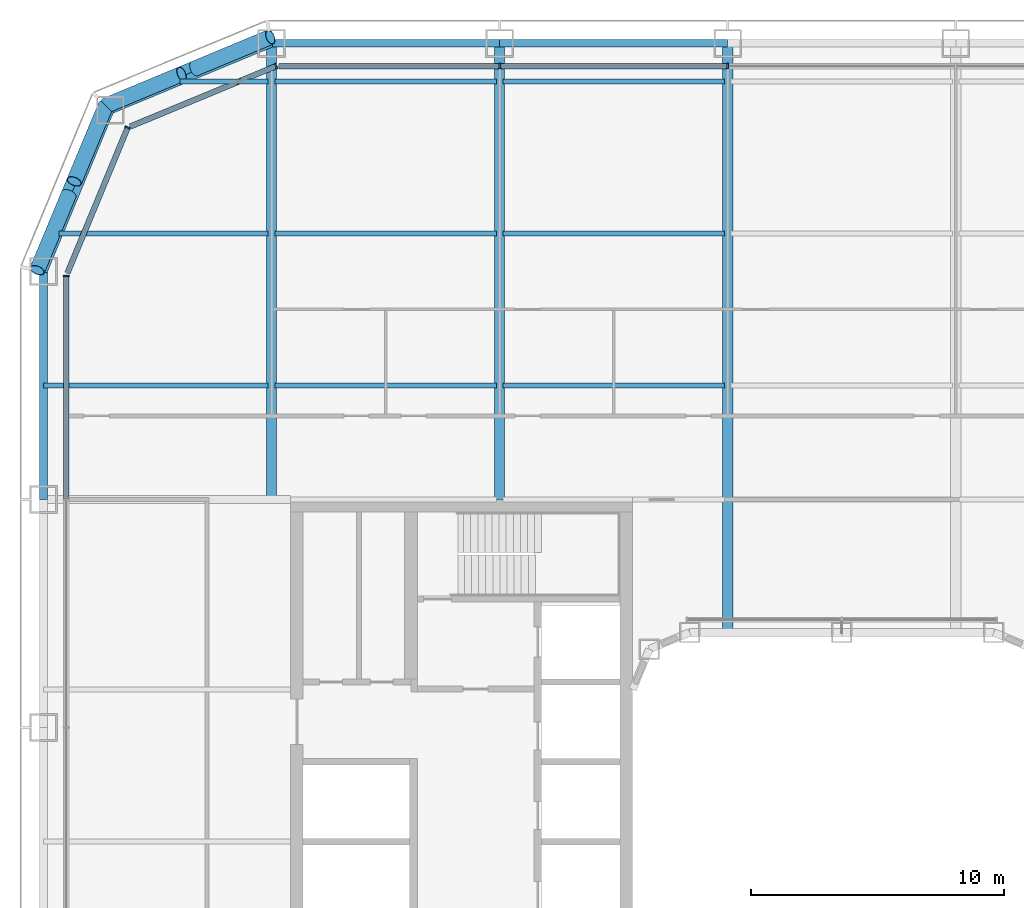
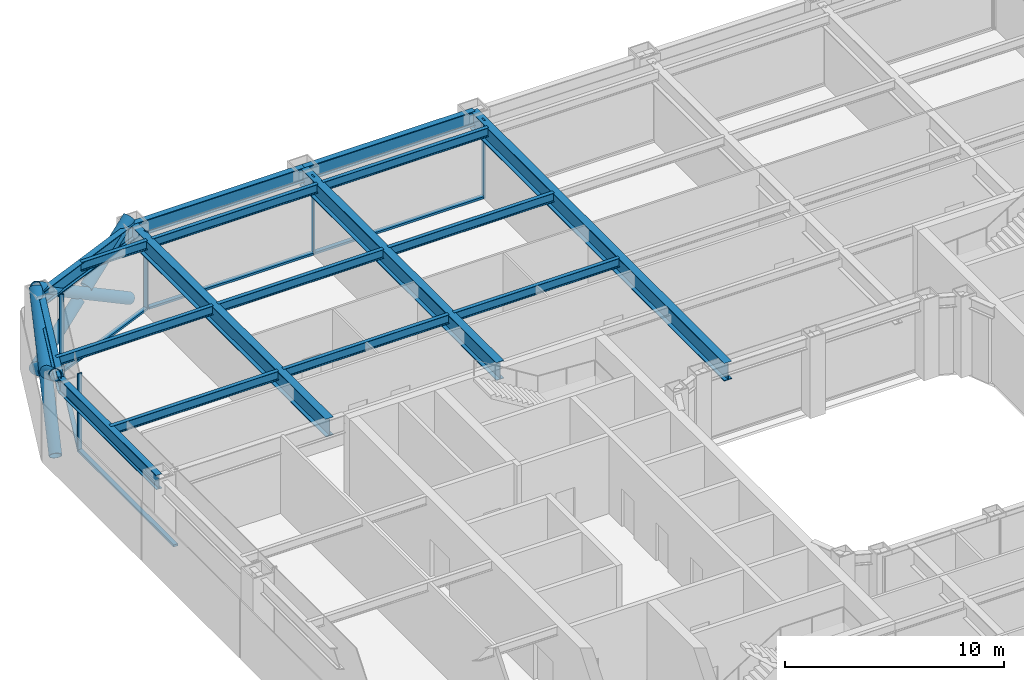
# One storey, part 7 of 24: 17 beams, 16 members, 4 elements without a shape of their own.
"""IFC4 building model written with IfcOpenShell, lengths in metres."""

from ifc_helpers import new_model, si_unit, direction, frame, origin, origin_2d, place, context, subcontext, project, spatial, rectangle, hollow_circle, i_section, extrude, material, layer, layer_set, material_profile, profile_set, type_object, element, aggregate, save


model = new_model("IFC4")

# Units and contexts
model_context = context("Model", 3, precision=1e-05, world=origin(), true_north=direction((0.0, 1.0)))
body_context = subcontext(model_context, "Body", "Model", "MODEL_VIEW")
ifc_project = project(units=[si_unit("LENGTHUNIT", "METRE"), si_unit("AREAUNIT", "SQUARE_METRE"), si_unit("VOLUMEUNIT", "CUBIC_METRE"), si_unit("PLANEANGLEUNIT", "RADIAN"), si_unit("MASSUNIT", "GRAM", prefix="KILO")], contexts=[model_context])

# Site, building, storey
site_placement = place(None, origin())
site = spatial("IfcSite", under=ifc_project, at=site_placement, CompositionType="ELEMENT")
building_placement = place(site_placement, origin())
building = spatial("IfcBuilding", under=site, at=building_placement, Name="Siwar Civic Tower", CompositionType="ELEMENT")
storey_placement = place(building_placement, frame((0.0, 0.0, 40.199951171875)))
storey = spatial("IfcBuildingStorey", under=building, at=storey_placement, Name="L08", CompositionType="ELEMENT", Elevation=40.199951171875)

# Curtain wall, members
ifc_material_1 = material(Name="Aluminium and glass", Category="aluminium")
ifc_layer_1 = layer(ifc_material_1, 0.219970703125)
ifc_layer_set_1 = layer_set([ifc_layer_1], Name="Aluminium and glass")
curtain_wall_type_1 = type_object("IfcCurtainWallType", Name="ENV-CW-A", PredefinedType="NOTDEFINED", material=ifc_layer_set_1)
curtain_wall_1_placement = place(storey_placement, origin())
curtain_wall_1 = element("IfcCurtainWall", 1, at=curtain_wall_1_placement, inside=storey, type_object=curtain_wall_type_1, Name="Curtain wall A N", PredefinedType="NOTDEFINED")
ifc_material_2 = material(Name="Aluminium 6063-T6", Category="aluminium")
ifc_material_profile_1 = material_profile(ifc_material_2, rectangle(XDim=0.219970703125, YDim=0.070068359375, at=origin_2d()), Name="AL 220x70")
ifc_profile_set_1 = profile_set([ifc_material_profile_1], Name="Aluminium 6063-T6")
member_type_1 = type_object("IfcMemberType", Name="ENV-MULLION-A", PredefinedType="MULLION", material=ifc_profile_set_1)
member_1_placement = place(storey_placement, frame((-4.5, 30.60009765625, 0.0), z_axis=(0.0, 0.0, 1.0), x_axis=(0.0, -1.0, 0.0)))
member_1 = element("IfcMember", 2, at=member_1_placement, type_object=member_type_1, Name="Mullion A N 4", PredefinedType="MULLION", context=body_context, shape_type="SweptSolid", body=[
    extrude(rectangle(XDim=0.219970703125, YDim=0.070068359375, at=origin_2d()), origin(), (0.0, 0.0, 1.0), 4.35009765625),
])
member_2_placement = place(storey_placement, frame((-13.5, 30.60009765625, 0.0), z_axis=(0.0, 0.0, 1.0), x_axis=(0.0, -1.0, 0.0)))
member_2 = element("IfcMember", 3, at=member_2_placement, type_object=member_type_1, Name="Mullion A N 5", PredefinedType="MULLION", context=body_context, shape_type="SweptSolid", body=[
    extrude(rectangle(XDim=0.219970703125, YDim=0.070068359375, at=origin_2d()), origin(), (0.0, 0.0, 1.0), 4.35009765625),
])

# Curtain wall, member
ifc_material_3 = material(Name="Aluminium clad insulated panel", Category="aluminium")
ifc_layer_2 = layer(ifc_material_3, 0.219970703125)
ifc_layer_set_2 = layer_set([ifc_layer_2], Name="Aluminium clad insulated panel")
curtain_wall_type_2 = type_object("IfcCurtainWallType", Name="ENV-CW-AX", PredefinedType="NOTDEFINED", material=ifc_layer_set_2)
curtain_wall_2_placement = place(storey_placement, origin())
curtain_wall_2 = element("IfcCurtainWall", 4, at=curtain_wall_2_placement, inside=storey, type_object=curtain_wall_type_2, Name="Curtain wall A NW1", PredefinedType="NOTDEFINED")
member_3_placement = place(storey_placement, frame((-22.321044921875, 30.60009765625, 0.0), z_axis=(0.0, 0.0, 1.0), x_axis=(0.382683432365, -0.923879532511, 0.0)))
member_3 = element("IfcMember", 5, at=member_3_placement, type_object=member_type_1, Name="Mullion A NW1 1", PredefinedType="MULLION", context=body_context, shape_type="SweptSolid", body=[
    extrude(rectangle(XDim=0.219970703125, YDim=0.070068359375, at=origin_2d()), origin(), (0.0, 0.0, 1.0), 4.35009765625),
])

curtain_wall_3_placement = place(storey_placement, origin())
curtain_wall_3 = element("IfcCurtainWall", 6, at=curtain_wall_3_placement, inside=storey, type_object=curtain_wall_type_2, Name="Curtain wall A NW2", PredefinedType="NOTDEFINED")
member_4_placement = place(storey_placement, frame((-28.175048828125, 28.175048828125, 0.0), z_axis=(0.0, 0.0, 1.0), x_axis=(0.923879532511, -0.382683432365, 0.0)))
member_4 = element("IfcMember", 7, at=member_4_placement, type_object=member_type_1, Name="Mullion A NW2 1", PredefinedType="MULLION", context=body_context, shape_type="SweptSolid", body=[
    extrude(rectangle(XDim=0.219970703125, YDim=0.070068359375, at=origin_2d()), origin(), (0.0, 0.0, 1.0), 4.35009765625),
])

curtain_wall_4_placement = place(storey_placement, origin())
curtain_wall_4 = element("IfcCurtainWall", 8, at=curtain_wall_4_placement, inside=storey, type_object=curtain_wall_type_1, Name="Curtain wall A W", PredefinedType="NOTDEFINED")
member_5_placement = place(storey_placement, frame((-30.60009765625, 22.321044921875, 0.0), z_axis=(0.0, 0.0, 1.0), x_axis=(1.0, 0.0, 0.0)))
member_5 = element("IfcMember", 9, at=member_5_placement, type_object=member_type_1, Name="Mullion A W 1", PredefinedType="MULLION", context=body_context, shape_type="SweptSolid", body=[
    extrude(rectangle(XDim=0.219970703125, YDim=0.070068359375, at=origin_2d()), origin(), (0.0, 0.0, 1.0), 4.35009765625),
])

# Member
ifc_material_4 = material(Name="Aluminium 6063-T6", Category="aluminium")
ifc_material_profile_2 = material_profile(ifc_material_4, rectangle(XDim=0.219970703125, YDim=0.1201171875, at=origin_2d()), Name="AL 220x120")
ifc_profile_set_2 = profile_set([ifc_material_profile_2], Name="Aluminium 6063-T6")
member_type_2 = type_object("IfcMemberType", Name="ENV-TRANSOM-A", PredefinedType="USERDEFINED", material=ifc_profile_set_2)
member_6_placement = place(storey_placement, frame((-4.534912109375, 30.60009765625, 0.06005859375), z_axis=(-1.0, 0.0, 0.0), x_axis=(0.0, -1.0, 0.0)))
member_6 = element("IfcMember", 10, at=member_6_placement, type_object=member_type_2, Name="Transom A N 4", ObjectType="TRANSOM", PredefinedType="USERDEFINED", context=body_context, shape_type="SweptSolid", body=[
    extrude(rectangle(XDim=0.219970703125, YDim=0.1201171875, at=origin_2d()), origin(), (0.0, 0.0, 1.0), 8.93017578125),
])

member_7_placement = place(storey_placement, frame((-13.534912109375, 30.60009765625, 0.06005859375), z_axis=(-1.0, 0.0, 0.0), x_axis=(0.0, -1.0, 0.0)))
member_7 = element("IfcMember", 11, at=member_7_placement, type_object=member_type_2, Name="Transom A N 5", ObjectType="TRANSOM", PredefinedType="USERDEFINED", context=body_context, shape_type="SweptSolid", body=[
    extrude(rectangle(XDim=0.219970703125, YDim=0.1201171875, at=origin_2d()), origin(), (0.0, 0.0, 1.0), 8.66357421875),
])

aggregate(curtain_wall_1, [member_1, member_2, member_6, member_7])

member_8_placement = place(storey_placement, frame((-22.353271484375, 30.586669921875, 0.06005859375), z_axis=(-0.923873326341, -0.382698415042, 0.0), x_axis=(0.382698415042, -0.923873326341, 0.0)))
member_8 = element("IfcMember", 12, at=member_8_placement, type_object=member_type_2, Name="Transom A NW1 1", ObjectType="TRANSOM", PredefinedType="USERDEFINED", context=body_context, shape_type="SweptSolid", body=[
    extrude(rectangle(XDim=0.219970703125, YDim=0.1201171875, at=origin_2d()), origin(), (0.0, 0.0, 1.0), 6.17919921875),
])

aggregate(curtain_wall_2, [member_3, member_8])

member_9_placement = place(storey_placement, frame((-28.1884765625, 28.142822265625, 0.06005859375), z_axis=(-0.382698415042, -0.923873326341, 0.0), x_axis=(0.923873326341, -0.382698415042, 0.0)))
member_9 = element("IfcMember", 13, at=member_9_placement, type_object=member_type_2, Name="Transom A NW2 1", ObjectType="TRANSOM", PredefinedType="USERDEFINED", context=body_context, shape_type="SweptSolid", body=[
    extrude(rectangle(XDim=0.219970703125, YDim=0.1201171875, at=origin_2d()), origin(), (0.0, 0.0, 1.0), 6.17919921875),
])

aggregate(curtain_wall_3, [member_4, member_9])

member_10_placement = place(storey_placement, frame((-30.60009765625, 22.285888671875, 0.06005859375), z_axis=(0.0, -1.0, 0.0), x_axis=(1.0, 0.0, 0.0)))
member_10 = element("IfcMember", 14, at=member_10_placement, type_object=member_type_2, Name="Transom A W 1", ObjectType="TRANSOM", PredefinedType="USERDEFINED", context=body_context, shape_type="SweptSolid", body=[
    extrude(rectangle(XDim=0.219970703125, YDim=0.1201171875, at=origin_2d()), origin(), (0.0, 0.0, 1.0), 8.7509765625),
])

aggregate(curtain_wall_4, [member_5, member_10])

# Members
ifc_material_5 = material(Name="Steel S355", Category="steel")
ifc_material_profile_3 = material_profile(ifc_material_5, hollow_circle(Radius=0.304931640625, WallThickness=0.030029296875, at=origin_2d()), Name="CHS610x30")
ifc_profile_set_3 = profile_set([ifc_material_profile_3], Name="Steel S355")
member_type_3 = type_object("IfcMemberType", Name="STR-BR-CHS610x30", PredefinedType="BRACE", material=ifc_profile_set_3)
member_11_placement = place(storey_placement, frame((-31.7451171875, 22.548828125, 0.0), z_axis=(0.323905527954, 0.777554562952, 0.538975055633), x_axis=(-0.923108759191, 0.384538969033, 0.0)))
element("IfcMember", 15, at=member_11_placement, inside=storey, type_object=member_type_3, Name="L08/brc/ANW1-7-0-1", PredefinedType="BRACE", context=body_context, shape_type="SweptSolid", body=[
    extrude(hollow_circle(Radius=0.304931640625, WallThickness=0.030029296875, at=origin_2d()), origin(), (0.0, 0.0, 1.0), 8.34912109375),
])
member_12_placement = place(storey_placement, frame((-29.040771484375, 29.040771484375, 0.0), z_axis=(-0.323922979564, -0.777542179573, 0.53898243227), x_axis=(0.923099230484, -0.384561842466, 0.0)))
element("IfcMember", 16, at=member_12_placement, inside=storey, type_object=member_type_3, Name="L08/brc/ANW1-7-0-2", PredefinedType="BRACE", context=body_context, shape_type="SweptSolid", body=[
    extrude(hollow_circle(Radius=0.304931640625, WallThickness=0.030029296875, at=origin_2d()), origin(), (0.0, 0.0, 1.0), 3.84375),
])
member_13_placement = place(storey_placement, frame((-30.500244140625, 25.537353515625, 2.428466796875), z_axis=(-0.3238932121, -0.777559680196, 0.53897507446), x_axis=(0.923114847559, -0.384524353215, 0.0)))
element("IfcMember", 17, at=member_13_placement, inside=storey, type_object=member_type_3, Name="L08/brc/ANW1-7-0-3", PredefinedType="BRACE", context=body_context, shape_type="SweptSolid", body=[
    extrude(hollow_circle(Radius=0.304931640625, WallThickness=0.030029296875, at=origin_2d()), origin(), (0.0, 0.0, 1.0), 3.843505859375),
])
member_14_placement = place(storey_placement, frame((-22.548828125, 31.7451171875, 0.0), z_axis=(-0.777554562952, -0.323905527954, 0.538975055633), x_axis=(0.384538969033, -0.923108759191, 0.0)))
element("IfcMember", 18, at=member_14_placement, inside=storey, type_object=member_type_3, Name="L08/brc/ANW1-7-0-0", PredefinedType="BRACE", context=body_context, shape_type="SweptSolid", body=[
    extrude(hollow_circle(Radius=0.304931640625, WallThickness=0.030029296875, at=origin_2d()), origin(), (0.0, 0.0, 1.0), 8.34912109375),
])
member_15_placement = place(storey_placement, frame((-29.040771484375, 29.040771484375, 0.0), z_axis=(0.777542179573, 0.323922979564, 0.53898243227), x_axis=(-0.384561842466, 0.923099230484, 0.0)))
element("IfcMember", 19, at=member_15_placement, inside=storey, type_object=member_type_3, Name="L08/brc/ANW1-7-0-4", PredefinedType="BRACE", context=body_context, shape_type="SweptSolid", body=[
    extrude(hollow_circle(Radius=0.304931640625, WallThickness=0.030029296875, at=origin_2d()), origin(), (0.0, 0.0, 1.0), 3.84375),
])
member_16_placement = place(storey_placement, frame((-25.537353515625, 30.500244140625, 2.428466796875), z_axis=(0.777559680196, 0.3238932121, 0.53897507446), x_axis=(-0.384524353215, 0.923114847559, 0.0)))
element("IfcMember", 20, at=member_16_placement, inside=storey, type_object=member_type_3, Name="L08/brc/ANW1-7-0-5", PredefinedType="BRACE", context=body_context, shape_type="SweptSolid", body=[
    extrude(hollow_circle(Radius=0.304931640625, WallThickness=0.030029296875, at=origin_2d()), origin(), (0.0, 0.0, 1.0), 3.843505859375),
])

# Beams
ifc_material_6 = material(Name="Steel S355", Category="steel")
ifc_material_profile_4 = material_profile(ifc_material_6, i_section(OverallWidth=0.199951171875, OverallDepth=0.5, WebThickness=0.01025390625, FlangeThickness=0.01611328125, FilletRadius=0.02099609375, at=origin_2d()), Name="IPE500")
ifc_profile_set_4 = profile_set([ifc_material_profile_4], Name="Steel S355")
beam_type_1 = type_object("IfcBeamType", Name="STR-FB-IPE500", PredefinedType="JOIST", material=ifc_profile_set_4)
beam_1_placement = place(storey_placement, frame((-31.5, 18.0, 4.10009765625), z_axis=(1.0, 0.0, 0.0), x_axis=(0.0, 1.0, 0.0)))
element("IfcBeam", 21, at=beam_1_placement, inside=storey, type_object=beam_type_1, Name="L08/bm/F046", PredefinedType="JOIST", context=body_context, shape_type="SweptSolid", body=[
    extrude(i_section(OverallWidth=0.199951171875, OverallDepth=0.5, WebThickness=0.01025390625, FlangeThickness=0.01611328125, FilletRadius=0.02099609375, at=origin_2d()), origin(), (0.0, 0.0, 1.0), 8.8701171875),
])
for number, where, z_axis, x_axis, name in (
    (22, (-22.3701171875, 18.0, 4.10009765625), (1.0, 0.0, 0.0), (0.0, 1.0, 0.0), "L08/bm/F047"),
    (23, (-13.3701171875, 18.0, 4.10009765625), (1.0, 0.0, 0.0), (0.0, 1.0, 0.0), "L08/bm/F048"),
):
    element("IfcBeam", number, at=place(storey_placement, frame(where, z_axis=z_axis, x_axis=x_axis)), inside=storey, type_object=beam_type_1, Name=name, PredefinedType="JOIST", context=body_context, shape_type="SweptSolid", body=[
        extrude(i_section(OverallWidth=0.199951171875, OverallDepth=0.5, WebThickness=0.01025390625, FlangeThickness=0.01611328125, FilletRadius=0.02099609375, at=origin_2d()), origin(), (0.0, 0.0, 1.0), 8.740234375),
    ])
beam_2_placement = place(storey_placement, frame((-30.878662109375, 24.0, 4.10009765625), z_axis=(1.0, 0.0, 0.0), x_axis=(0.0, 1.0, 0.0)))
element("IfcBeam", 24, at=beam_2_placement, inside=storey, type_object=beam_type_1, Name="L08/bm/F053", PredefinedType="JOIST", context=body_context, shape_type="SweptSolid", body=[
    extrude(i_section(OverallWidth=0.199951171875, OverallDepth=0.5, WebThickness=0.01025390625, FlangeThickness=0.01611328125, FilletRadius=0.02099609375, at=origin_2d()), origin(), (0.0, 0.0, 1.0), 8.248779296875),
])
for number, where, z_axis, x_axis, name in (
    (25, (-22.3701171875, 24.0, 4.10009765625), (1.0, 0.0, 0.0), (0.0, 1.0, 0.0), "L08/bm/F054"),
    (26, (-13.3701171875, 24.0, 4.10009765625), (1.0, 0.0, 0.0), (0.0, 1.0, 0.0), "L08/bm/F055"),
):
    element("IfcBeam", number, at=place(storey_placement, frame(where, z_axis=z_axis, x_axis=x_axis)), inside=storey, type_object=beam_type_1, Name=name, PredefinedType="JOIST", context=body_context, shape_type="SweptSolid", body=[
        extrude(i_section(OverallWidth=0.199951171875, OverallDepth=0.5, WebThickness=0.01025390625, FlangeThickness=0.01611328125, FilletRadius=0.02099609375, at=origin_2d()), origin(), (0.0, 0.0, 1.0), 8.740234375),
    ])
beam_3_placement = place(storey_placement, frame((-26.121337890625, 30.0, 4.10009765625), z_axis=(1.0, 0.0, 0.0), x_axis=(0.0, 1.0, 0.0)))
element("IfcBeam", 27, at=beam_3_placement, inside=storey, type_object=beam_type_1, Name="L08/bm/F060", PredefinedType="JOIST", context=body_context, shape_type="SweptSolid", body=[
    extrude(i_section(OverallWidth=0.199951171875, OverallDepth=0.5, WebThickness=0.01025390625, FlangeThickness=0.01611328125, FilletRadius=0.02099609375, at=origin_2d()), origin(), (0.0, 0.0, 1.0), 3.491455078125),
])
for number, where, z_axis, x_axis, name in (
    (28, (-22.3701171875, 30.0, 4.10009765625), (1.0, 0.0, 0.0), (0.0, 1.0, 0.0), "L08/bm/F061"),
    (29, (-13.3701171875, 30.0, 4.10009765625), (1.0, 0.0, 0.0), (0.0, 1.0, 0.0), "L08/bm/F062"),
):
    element("IfcBeam", number, at=place(storey_placement, frame(where, z_axis=z_axis, x_axis=x_axis)), inside=storey, type_object=beam_type_1, Name=name, PredefinedType="JOIST", context=body_context, shape_type="SweptSolid", body=[
        extrude(i_section(OverallWidth=0.199951171875, OverallDepth=0.5, WebThickness=0.01025390625, FlangeThickness=0.01611328125, FilletRadius=0.02099609375, at=origin_2d()), origin(), (0.0, 0.0, 1.0), 8.740234375),
    ])
ifc_material_7 = material(Name="Steel S355", Category="steel")
ifc_material_profile_5 = material_profile(ifc_material_7, i_section(OverallWidth=0.39990234375, OverallDepth=1.0, WebThickness=0.01611328125, FlangeThickness=0.0400390625, at=origin_2d()), Name="PG1000x400x16x40")
ifc_profile_set_5 = profile_set([ifc_material_profile_5], Name="Steel S355")
beam_type_2 = type_object("IfcBeamType", Name="STR-PG-PG1000x400x16x40", PredefinedType="BEAM", material=ifc_profile_set_5)
for number, where, z_axis, x_axis, name in (
    (30, (-22.5, 13.5, 3.85009765625), (0.0, 1.0, 0.0), (-1.0, 0.0, 0.0), "L08/bm/G02"),
    (31, (-13.5, 13.5, 3.85009765625), (0.0, 1.0, 0.0), (-1.0, 0.0, 0.0), "L08/bm/G04"),
):
    element("IfcBeam", number, at=place(storey_placement, frame(where, z_axis=z_axis, x_axis=x_axis)), inside=storey, type_object=beam_type_2, Name=name, PredefinedType="BEAM", context=body_context, shape_type="SweptSolid", body=[
        extrude(i_section(OverallWidth=0.39990234375, OverallDepth=1.0, WebThickness=0.01611328125, FlangeThickness=0.0400390625, at=origin_2d()), origin(), (0.0, 0.0, 1.0), 18.0),
    ])
beam_4_placement = place(storey_placement, frame((-4.5, 8.25, 3.85009765625), z_axis=(0.0, 1.0, 0.0), x_axis=(-1.0, 0.0, 0.0)))
element("IfcBeam", 32, at=beam_4_placement, inside=storey, type_object=beam_type_2, Name="L08/bm/G06", PredefinedType="BEAM", context=body_context, shape_type="SweptSolid", body=[
    extrude(i_section(OverallWidth=0.39990234375, OverallDepth=1.0, WebThickness=0.01611328125, FlangeThickness=0.0400390625, at=origin_2d()), origin(), (0.0, 0.0, 1.0), 23.25),
])
ifc_material_8 = material(Name="Steel S355", Category="steel")
ifc_material_profile_6 = material_profile(ifc_material_8, i_section(OverallWidth=0.302978515625, OverallDepth=0.81396484375, WebThickness=0.02099609375, FlangeThickness=0.0400390625, FilletRadius=0.030029296875, at=origin_2d()), Name="HEM800")
ifc_profile_set_6 = profile_set([ifc_material_profile_6], Name="Steel S355")
beam_type_3 = type_object("IfcBeamType", Name="STR-SB-HEM800", PredefinedType="BEAM", material=ifc_profile_set_6)
for number, where, z_axis, x_axis, name in (
    (33, (-4.5, 31.5, 3.943115234375), (-1.0, 0.0, 0.0), (0.0, -1.0, 0.0), "L08/bm/SN-3"),
    (34, (-13.5, 31.5, 3.943115234375), (-1.0, 0.0, 0.0), (0.0, -1.0, 0.0), "L08/bm/SN-4"),
):
    element("IfcBeam", number, at=place(storey_placement, frame(where, z_axis=z_axis, x_axis=x_axis)), inside=storey, type_object=beam_type_3, Name=name, PredefinedType="BEAM", context=body_context, shape_type="SweptSolid", body=[
        extrude(i_section(OverallWidth=0.302978515625, OverallDepth=0.81396484375, WebThickness=0.02099609375, FlangeThickness=0.0400390625, FilletRadius=0.030029296875, at=origin_2d()), origin(), (0.0, 0.0, 1.0), 9.0),
    ])
for number, where, z_axis, x_axis, name in (
    (35, (-22.5, 31.5, 3.943115234375), (-0.923883353507, -0.382674207535, 0.0), (0.382674207535, -0.923883353507, 0.0), "L08/bm/SNW1-0"),
    (36, (-28.864013671875, 28.864013671875, 3.943115234375), (-0.382674207535, -0.923883353507, 0.0), (0.923883353507, -0.382674207535, 0.0), "L08/bm/SNW2-0"),
):
    element("IfcBeam", number, at=place(storey_placement, frame(where, z_axis=z_axis, x_axis=x_axis)), inside=storey, type_object=beam_type_3, Name=name, PredefinedType="BEAM", context=body_context, shape_type="SweptSolid", body=[
        extrude(i_section(OverallWidth=0.302978515625, OverallDepth=0.81396484375, WebThickness=0.02099609375, FlangeThickness=0.0400390625, FilletRadius=0.030029296875, at=origin_2d()), origin(), (0.0, 0.0, 1.0), 6.888427734375),
    ])
beam_5_placement = place(storey_placement, frame((-31.5, 22.5, 3.943115234375), z_axis=(0.0, -1.0, 0.0), x_axis=(1.0, 0.0, 0.0)))
element("IfcBeam", 37, at=beam_5_placement, inside=storey, type_object=beam_type_3, Name="L08/bm/SW-0", PredefinedType="BEAM", context=body_context, shape_type="SweptSolid", body=[
    extrude(i_section(OverallWidth=0.302978515625, OverallDepth=0.81396484375, WebThickness=0.02099609375, FlangeThickness=0.0400390625, FilletRadius=0.030029296875, at=origin_2d()), origin(), (0.0, 0.0, 1.0), 9.0),
])

save(model, "model.ifc")
